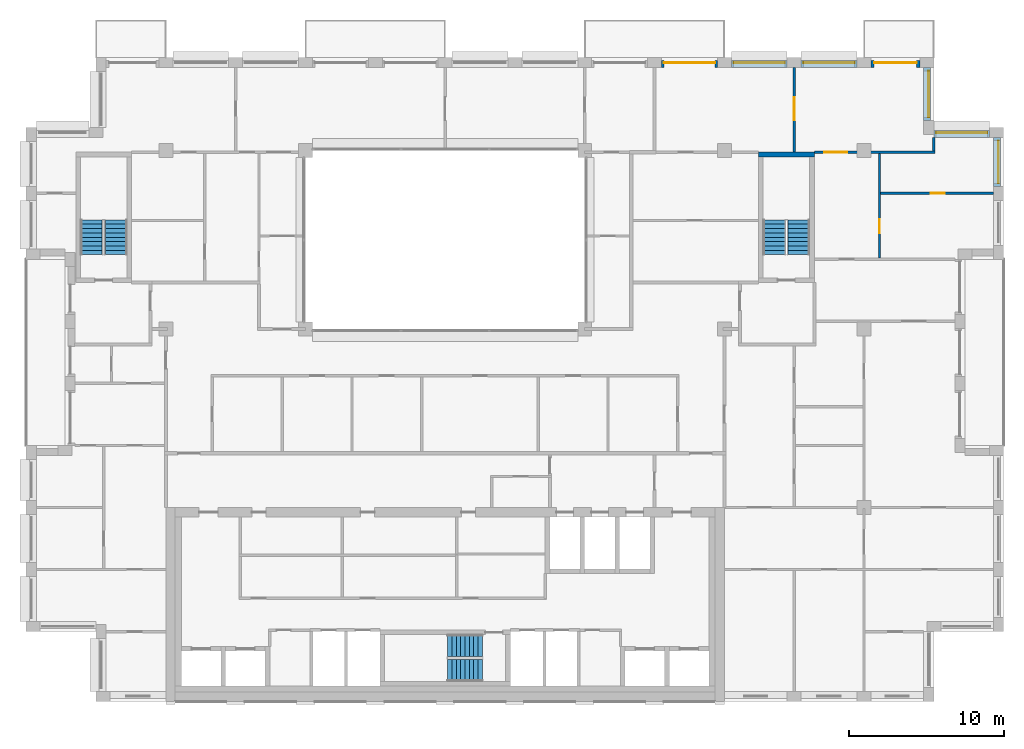
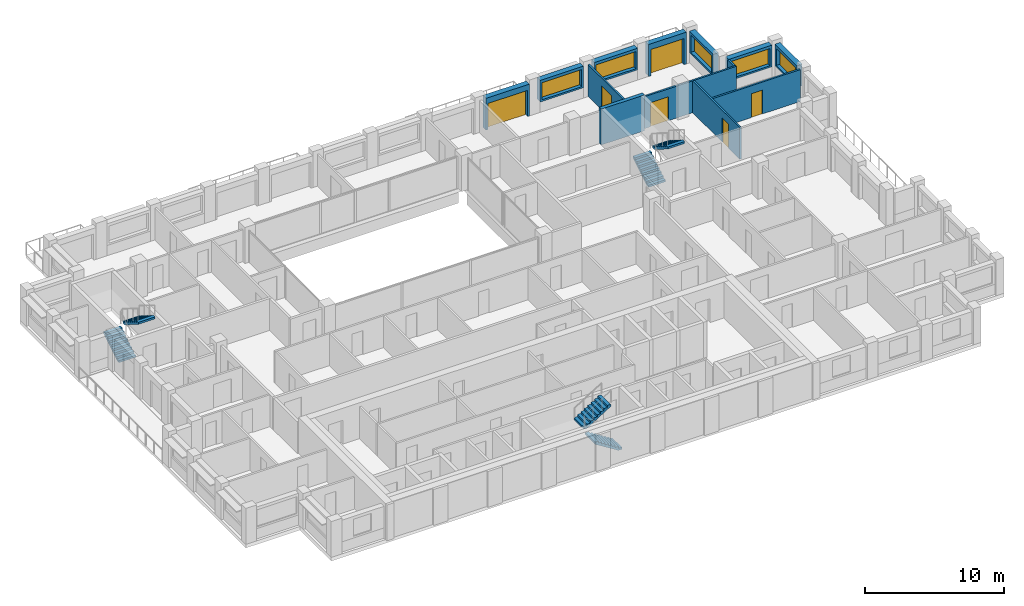
# One storey, part 14 of 15: 13 walls, 6 doors, 6 stair flights, 5 windows, 11 openings, 3 elements without a shape of their own.
"""IFC4 building model written with IfcOpenShell, lengths in metres."""

from ifc_helpers import new_model, si_unit, direction, frame, frame_2d, origin, place, context, subcontext, project, spatial, polyline, rectangle, outline, extrude, material, layer, layer_set, type_object, element, fill, aggregate, save


model = new_model("IFC4")

# Units and contexts
model_context = context("Model", 3, precision=1e-05, world=origin(), true_north=direction((0.0, 1.0)))
body_context = subcontext(model_context, "Body", "Model", "MODEL_VIEW")
ifc_project = project(units=[si_unit("LENGTHUNIT", "METRE"), si_unit("AREAUNIT", "SQUARE_METRE"), si_unit("VOLUMEUNIT", "CUBIC_METRE"), si_unit("PLANEANGLEUNIT", "RADIAN"), si_unit("MASSUNIT", "GRAM", prefix="KILO")], contexts=[model_context])

# Site, building, storey
site_placement = place(None, origin())
site = spatial("IfcSite", under=ifc_project, at=site_placement, CompositionType="ELEMENT")
building_placement = place(site_placement, origin())
building = spatial("IfcBuilding", under=site, at=building_placement, Name="Brigalow Station Residences", CompositionType="ELEMENT")
storey_placement = place(building_placement, frame((0.0, 0.0, 232.64990234375)))
storey = spatial("IfcBuildingStorey", under=building, at=storey_placement, Name="L67", CompositionType="ELEMENT", Elevation=232.64990234375)

# Wall, opening, window
ifc_material_1 = material(Name="Clay brick masonry", Category="masonry")
ifc_layer_1 = layer(ifc_material_1, 0.449951171875)
ifc_layer_set_1 = layer_set([ifc_layer_1], Name="BRICK INFILL WALL 450")
wall_type_1 = type_object("IfcWallType", Name="BRICK INFILL WALL 450", PredefinedType="SOLIDWALL", material=ifc_layer_set_1)
wall_1_placement = place(storey_placement, frame((71.574951171875, 33.199951171875, 0.900146484375), z_axis=(0.0, 0.0, 1.0), x_axis=(0.0, 1.0, 0.0)))
wall_1 = element("IfcWall", 1, at=wall_1_placement, inside=storey, type_object=wall_type_1, Name="L67/ewall/W-L67-17", PredefinedType="SOLIDWALL", context=body_context, shape_type="SweptSolid", body=[
    extrude(rectangle(XDim=3.150146484375, YDim=0.449951171875, at=frame_2d((1.5751953125, 0.0))), origin(), (0.0, 0.0, 1.0), 1.89990234375),
])
opening_1_placement = place(wall_1_placement, frame((0.199951171875, 0.0, 0.14990234375)))
opening_1 = element("IfcOpeningElement", 2, at=opening_1_placement, cuts=wall_1, Name="Opening WT-3", PredefinedType="OPENING", context=body_context, shape_type="SweptSolid", body=[
    extrude(rectangle(XDim=2.75, YDim=1.5, at=frame_2d((1.375, 0.75))), frame((0.0, 0.23486328125, 0.0), z_axis=(0.0, -1.0, 0.0), x_axis=(1.0, 0.0, 0.0)), (0.0, 0.0, 1.0), 0.469970703125),
])
ifc_material_2 = material(Name="Anodised aluminium frame with double glazing", Category="aluminium")
window_type_1 = type_object("IfcWindowType", Name="WINDOW 2750x1500", PartitioningType="SINGLE_PANEL", PredefinedType="WINDOW", material=ifc_material_2)
window_1_placement = place(opening_1_placement, origin())
window_1 = element("IfcWindow", 3, at=window_1_placement, inside=storey, type_object=window_type_1, Name="L67/window/W-L67-17", OverallHeight=1.5, OverallWidth=2.75, PartitioningType="SINGLE_PANEL", PredefinedType="WINDOW", context=body_context, shape_type="SweptSolid", body=[
    extrude(rectangle(XDim=2.75, YDim=1.5, at=frame_2d((1.375, 0.75))), frame((0.0, -0.06494140625, 0.0), z_axis=(0.0, -1.0, 0.0), x_axis=(1.0, 0.0, 0.0)), (0.0, 0.0, 1.0), 0.06005859375),
])
fill(opening_1, window_1)

wall_2_placement = place(storey_placement, frame((71.10009765625, 36.574951171875, 0.900146484375), z_axis=(0.0, 0.0, 1.0), x_axis=(-1.0, 0.0, 0.0)))
wall_2 = element("IfcWall", 4, at=wall_2_placement, inside=storey, type_object=wall_type_1, Name="L67/ewall/W-L67-18", PredefinedType="SOLIDWALL", context=body_context, shape_type="SweptSolid", body=[
    extrude(rectangle(XDim=3.60009765625, YDim=0.449951171875, at=frame_2d((1.800048828125, 0.0))), origin(), (0.0, 0.0, 1.0), 1.89990234375),
])
opening_2_placement = place(wall_2_placement, frame((0.14990234375, 0.0, 0.14990234375)))
opening_2 = element("IfcOpeningElement", 5, at=opening_2_placement, cuts=wall_2, Name="Opening WT-10", PredefinedType="OPENING", context=body_context, shape_type="SweptSolid", body=[
    extrude(rectangle(XDim=3.300048828125, YDim=1.5, at=frame_2d((1.64990234375, 0.75))), frame((0.0, 0.23486328125, 0.0), z_axis=(0.0, -1.0, 0.0), x_axis=(1.0, 0.0, 0.0)), (0.0, 0.0, 1.0), 0.469970703125),
])
ifc_material_3 = material(Name="Anodised aluminium frame with double glazing", Category="aluminium")
window_type_2 = type_object("IfcWindowType", Name="WINDOW 3300x1500", PartitioningType="SINGLE_PANEL", PredefinedType="WINDOW", material=ifc_material_3)
window_2_placement = place(opening_2_placement, origin())
window_2 = element("IfcWindow", 6, at=window_2_placement, inside=storey, type_object=window_type_2, Name="L67/window/W-L67-18", OverallHeight=1.5, OverallWidth=3.300048828125, PartitioningType="SINGLE_PANEL", PredefinedType="WINDOW", context=body_context, shape_type="SweptSolid", body=[
    extrude(rectangle(XDim=3.300048828125, YDim=1.5, at=frame_2d((1.64990234375, 0.75))), frame((0.0, -0.06494140625, 0.0), z_axis=(0.0, -1.0, 0.0), x_axis=(1.0, 0.0, 0.0)), (0.0, 0.0, 1.0), 0.06005859375),
])
fill(opening_2, window_2)

wall_3_placement = place(storey_placement, frame((67.074951171875, 37.449951171875, 0.900146484375), z_axis=(0.0, 0.0, 1.0), x_axis=(0.0, 1.0, 0.0)))
wall_3 = element("IfcWall", 7, at=wall_3_placement, inside=storey, type_object=wall_type_1, Name="L67/ewall/W-L67-19", PredefinedType="SOLIDWALL", context=body_context, shape_type="SweptSolid", body=[
    extrude(rectangle(XDim=3.400146484375, YDim=0.449951171875, at=frame_2d((1.7001953125, 0.0))), origin(), (0.0, 0.0, 1.0), 1.89990234375),
])
opening_3_placement = place(wall_3_placement, frame((0.199951171875, 0.0, 0.14990234375)))
opening_3 = element("IfcOpeningElement", 8, at=opening_3_placement, cuts=wall_3, Name="Opening WT-2", PredefinedType="OPENING", context=body_context, shape_type="SweptSolid", body=[
    extrude(rectangle(XDim=3.0, YDim=1.5, at=frame_2d((1.5, 0.75))), frame((0.0, 0.23486328125, 0.0), z_axis=(0.0, -1.0, 0.0), x_axis=(1.0, 0.0, 0.0)), (0.0, 0.0, 1.0), 0.469970703125),
])
ifc_material_4 = material(Name="Anodised aluminium frame with double glazing", Category="aluminium")
window_type_3 = type_object("IfcWindowType", Name="WINDOW 3000x1500", PartitioningType="SINGLE_PANEL", PredefinedType="WINDOW", material=ifc_material_4)
window_3_placement = place(opening_3_placement, origin())
window_3 = element("IfcWindow", 9, at=window_3_placement, inside=storey, type_object=window_type_3, Name="L67/window/W-L67-19", OverallHeight=1.5, OverallWidth=3.0, PartitioningType="SINGLE_PANEL", PredefinedType="WINDOW", context=body_context, shape_type="SweptSolid", body=[
    extrude(rectangle(XDim=3.0, YDim=1.5, at=frame_2d((1.5, 0.75))), frame((0.0, -0.06494140625, 0.0), z_axis=(0.0, -1.0, 0.0), x_axis=(1.0, 0.0, 0.0)), (0.0, 0.0, 1.0), 0.06005859375),
])
fill(opening_3, window_3)

# Wall, opening, door
wall_4_placement = place(storey_placement, frame((66.60009765625, 41.074951171875, 0.0), z_axis=(0.0, 0.0, 1.0), x_axis=(-1.0, 0.0, 0.0)))
wall_4 = element("IfcWall", 10, at=wall_4_placement, inside=storey, type_object=wall_type_1, Name="L67/ewall/W-L67-20", PredefinedType="SOLIDWALL", context=body_context, shape_type="SweptSolid", body=[
    extrude(rectangle(XDim=3.150146484375, YDim=0.449951171875, at=frame_2d((1.5751953125, 0.0))), origin(), (0.0, 0.0, 1.0), 2.800048828125),
])
opening_4_placement = place(wall_4_placement, frame((0.199951171875, 0.0, 0.0)))
opening_4 = element("IfcOpeningElement", 11, at=opening_4_placement, cuts=wall_4, Name="Opening D-B2750", PredefinedType="OPENING", context=body_context, shape_type="SweptSolid", body=[
    extrude(rectangle(XDim=2.75, YDim=2.300048828125, at=frame_2d((1.375, 1.14990234375))), frame((0.0, 0.23486328125, 0.0), z_axis=(0.0, -1.0, 0.0), x_axis=(1.0, 0.0, 0.0)), (0.0, 0.0, 1.0), 0.469970703125),
])
ifc_material_5 = material(Name="Anodised aluminium frame with double glazing", Category="aluminium")
door_type_1 = type_object("IfcDoorType", Name="BALCONY SLIDING DOOR 2750x2300", OperationType="SLIDING_TO_LEFT", PredefinedType="DOOR", material=ifc_material_5)
door_1_placement = place(opening_4_placement, origin())
door_1 = element("IfcDoor", 12, at=door_1_placement, inside=storey, type_object=door_type_1, Name="L67/balcony-door/W-L67-20", OperationType="SLIDING_TO_LEFT", OverallHeight=2.300048828125, OverallWidth=2.75, PredefinedType="DOOR", context=body_context, shape_type="SweptSolid", body=[
    extrude(rectangle(XDim=2.75, YDim=2.300048828125, at=frame_2d((1.375, 1.14990234375))), frame((0.0, -0.06982421875, 0.0), z_axis=(0.0, -1.0, 0.0), x_axis=(1.0, 0.0, 0.0)), (0.0, 0.0, 1.0), 0.050048828125),
])
fill(opening_4, door_1)

# Wall, opening, window
wall_5_placement = place(storey_placement, frame((62.550048828125, 41.074951171875, 0.900146484375), z_axis=(0.0, 0.0, 1.0), x_axis=(-1.0, 0.0, 0.0)))
wall_5 = element("IfcWall", 13, at=wall_5_placement, inside=storey, type_object=wall_type_1, Name="L67/ewall/W-L67-21", PredefinedType="SOLIDWALL", context=body_context, shape_type="SweptSolid", body=[
    extrude(rectangle(XDim=3.60009765625, YDim=0.449951171875, at=frame_2d((1.800048828125, 0.0))), origin(), (0.0, 0.0, 1.0), 1.89990234375),
])
opening_5_placement = place(wall_5_placement, frame((0.14990234375, 0.0, 0.14990234375)))
opening_5 = element("IfcOpeningElement", 14, at=opening_5_placement, cuts=wall_5, Name="Opening WT-10", PredefinedType="OPENING", context=body_context, shape_type="SweptSolid", body=[
    extrude(rectangle(XDim=3.300048828125, YDim=1.5, at=frame_2d((1.64990234375, 0.75))), frame((0.0, 0.23486328125, 0.0), z_axis=(0.0, -1.0, 0.0), x_axis=(1.0, 0.0, 0.0)), (0.0, 0.0, 1.0), 0.469970703125),
])
window_4_placement = place(opening_5_placement, origin())
window_4 = element("IfcWindow", 15, at=window_4_placement, inside=storey, type_object=window_type_2, Name="L67/window/W-L67-21", OverallHeight=1.5, OverallWidth=3.300048828125, PartitioningType="SINGLE_PANEL", PredefinedType="WINDOW", context=body_context, shape_type="SweptSolid", body=[
    extrude(rectangle(XDim=3.300048828125, YDim=1.5, at=frame_2d((1.64990234375, 0.75))), frame((0.0, -0.06494140625, 0.0), z_axis=(0.0, -1.0, 0.0), x_axis=(1.0, 0.0, 0.0)), (0.0, 0.0, 1.0), 0.06005859375),
])
fill(opening_5, window_4)

wall_6_placement = place(storey_placement, frame((58.050048828125, 41.074951171875, 0.900146484375), z_axis=(0.0, 0.0, 1.0), x_axis=(-1.0, 0.0, 0.0)))
wall_6 = element("IfcWall", 16, at=wall_6_placement, inside=storey, type_object=wall_type_1, Name="L67/ewall/W-L67-22", PredefinedType="SOLIDWALL", context=body_context, shape_type="SweptSolid", body=[
    extrude(rectangle(XDim=3.60009765625, YDim=0.449951171875, at=frame_2d((1.800048828125, 0.0))), origin(), (0.0, 0.0, 1.0), 1.89990234375),
])
opening_6_placement = place(wall_6_placement, frame((0.14990234375, 0.0, 0.14990234375)))
opening_6 = element("IfcOpeningElement", 17, at=opening_6_placement, cuts=wall_6, Name="Opening WT-10", PredefinedType="OPENING", context=body_context, shape_type="SweptSolid", body=[
    extrude(rectangle(XDim=3.300048828125, YDim=1.5, at=frame_2d((1.64990234375, 0.75))), frame((0.0, 0.23486328125, 0.0), z_axis=(0.0, -1.0, 0.0), x_axis=(1.0, 0.0, 0.0)), (0.0, 0.0, 1.0), 0.469970703125),
])
window_5_placement = place(opening_6_placement, origin())
window_5 = element("IfcWindow", 18, at=window_5_placement, inside=storey, type_object=window_type_2, Name="L67/window/W-L67-22", OverallHeight=1.5, OverallWidth=3.300048828125, PartitioningType="SINGLE_PANEL", PredefinedType="WINDOW", context=body_context, shape_type="SweptSolid", body=[
    extrude(rectangle(XDim=3.300048828125, YDim=1.5, at=frame_2d((1.64990234375, 0.75))), frame((0.0, -0.06494140625, 0.0), z_axis=(0.0, -1.0, 0.0), x_axis=(1.0, 0.0, 0.0)), (0.0, 0.0, 1.0), 0.06005859375),
])
fill(opening_6, window_5)

# Wall, opening, door
wall_7_placement = place(storey_placement, frame((53.550048828125, 41.074951171875, 0.0), z_axis=(0.0, 0.0, 1.0), x_axis=(-1.0, 0.0, 0.0)))
wall_7 = element("IfcWall", 19, at=wall_7_placement, inside=storey, type_object=wall_type_1, Name="L67/ewall/W-L67-23", PredefinedType="SOLIDWALL", context=body_context, shape_type="SweptSolid", body=[
    extrude(rectangle(XDim=3.60009765625, YDim=0.449951171875, at=frame_2d((1.800048828125, 0.0))), origin(), (0.0, 0.0, 1.0), 2.800048828125),
])
opening_7_placement = place(wall_7_placement, frame((0.14990234375, 0.0, 0.0)))
opening_7 = element("IfcOpeningElement", 20, at=opening_7_placement, cuts=wall_7, Name="Opening D-B3300", PredefinedType="OPENING", context=body_context, shape_type="SweptSolid", body=[
    extrude(rectangle(XDim=3.300048828125, YDim=2.300048828125, at=frame_2d((1.64990234375, 1.14990234375))), frame((0.0, 0.23486328125, 0.0), z_axis=(0.0, -1.0, 0.0), x_axis=(1.0, 0.0, 0.0)), (0.0, 0.0, 1.0), 0.469970703125),
])
ifc_material_6 = material(Name="Anodised aluminium frame with double glazing", Category="aluminium")
door_type_2 = type_object("IfcDoorType", Name="BALCONY SLIDING DOOR 3300x2300", OperationType="SLIDING_TO_LEFT", PredefinedType="DOOR", material=ifc_material_6)
door_2_placement = place(opening_7_placement, origin())
door_2 = element("IfcDoor", 21, at=door_2_placement, inside=storey, type_object=door_type_2, Name="L67/balcony-door/W-L67-23", OperationType="SLIDING_TO_LEFT", OverallHeight=2.300048828125, OverallWidth=3.300048828125, PredefinedType="DOOR", context=body_context, shape_type="SweptSolid", body=[
    extrude(rectangle(XDim=3.300048828125, YDim=2.300048828125, at=frame_2d((1.64990234375, 1.14990234375))), frame((0.0, -0.06982421875, 0.0), z_axis=(0.0, -1.0, 0.0), x_axis=(1.0, 0.0, 0.0)), (0.0, 0.0, 1.0), 0.050048828125),
])
fill(opening_7, door_2)

# Wall
ifc_material_7 = material(Name="Concrete C50", Category="concrete")
ifc_layer_2 = layer(ifc_material_7, 0.300048828125)
ifc_layer_set_2 = layer_set([ifc_layer_2], Name="CORE SHEAR WALL 300 C50")
wall_type_2 = type_object("IfcWallType", Name="CORE SHEAR WALL 300 C50", PredefinedType="SHEAR", material=ifc_layer_set_2)
wall_8_placement = place(storey_placement, frame((56.199951171875, 35.25, 0.0), z_axis=(0.0, 0.0, 1.0), x_axis=(1.0, 0.0, 0.0)))
element("IfcWall", 22, at=wall_8_placement, inside=storey, type_object=wall_type_2, Name="CORE WALL ST-S3-N L67", PredefinedType="SHEAR", context=body_context, shape_type="SweptSolid", body=[
    extrude(rectangle(XDim=3.60009765625, YDim=0.300048828125, at=frame_2d((1.800048828125, 0.0))), origin(), (0.0, 0.0, 1.0), 3.150146484375),
])

# Wall, opening, door
ifc_material_8 = material(Name="Plasterboard on steel stud partition", Category="steel")
ifc_layer_3 = layer(ifc_material_8, 0.14990234375)
ifc_layer_set_3 = layer_set([ifc_layer_3], Name="FLAT PARTITION 150")
wall_type_3 = type_object("IfcWallType", Name="FLAT PARTITION 150", PredefinedType="PARTITIONING", material=ifc_layer_set_3)
wall_9_placement = place(storey_placement, frame((59.800048828125, 35.39990234375, 0.0), z_axis=(0.0, 0.0, 1.0), x_axis=(1.0, 0.0, 0.0)))
wall_9 = element("IfcWall", 23, at=wall_9_placement, inside=storey, type_object=wall_type_3, Name="PW-4E22", PredefinedType="PARTITIONING", context=body_context, shape_type="SweptSolid", body=[
    extrude(rectangle(XDim=7.77490234375, YDim=0.14990234375, at=frame_2d((3.887451171875, 0.0))), origin(), (0.0, 0.0, 1.0), 2.800048828125),
])
opening_8_placement = place(wall_9_placement, frame((0.625, 0.0, 0.0)))
opening_8 = element("IfcOpeningElement", 24, at=opening_8_placement, cuts=wall_9, Name="Opening D-4E39", PredefinedType="OPENING", context=body_context, shape_type="SweptSolid", body=[
    extrude(rectangle(XDim=1.5, YDim=2.10009765625, at=frame_2d((0.75, 1.050048828125))), frame((0.0, 0.0849609375, 0.0), z_axis=(0.0, -1.0, 0.0), x_axis=(1.0, 0.0, 0.0)), (0.0, 0.0, 1.0), 0.169921875),
])
ifc_material_9 = material(Name="Solid-core timber door leaf", Category="wood")
door_type_3 = type_object("IfcDoorType", Name="INTERNAL DOUBLE DOOR 1500 x 2100", OperationType="DOUBLE_DOOR_SINGLE_SWING", PredefinedType="DOOR", material=ifc_material_9)
door_3_placement = place(opening_8_placement, origin())
door_3 = element("IfcDoor", 25, at=door_3_placement, inside=storey, type_object=door_type_3, Name="D-4E39", OperationType="DOUBLE_DOOR_SINGLE_SWING", OverallHeight=2.10009765625, OverallWidth=1.5, PredefinedType="DOOR", context=body_context, shape_type="SweptSolid", body=[
    extrude(rectangle(XDim=1.5, YDim=2.10009765625, at=frame_2d((0.75, 1.050048828125))), frame((0.0, 0.02490234375, 0.0), z_axis=(0.0, -1.0, 0.0), x_axis=(1.0, 0.0, 0.0)), (0.0, 0.0, 1.0), 0.050048828125),
])
fill(opening_8, door_3)

wall_10_placement = place(storey_placement, frame((64.074951171875, 32.75, 0.0), z_axis=(0.0, 0.0, 1.0), x_axis=(1.0, 0.0, 0.0)))
wall_10 = element("IfcWall", 26, at=wall_10_placement, inside=storey, type_object=wall_type_3, Name="PW-4E27", PredefinedType="PARTITIONING", context=body_context, shape_type="SweptSolid", body=[
    extrude(rectangle(XDim=7.275146484375, YDim=0.14990234375, at=frame_2d((3.6376953125, 0.0))), origin(), (0.0, 0.0, 1.0), 2.800048828125),
])
opening_9_placement = place(wall_10_placement, frame((3.22509765625, 0.0, 0.0)))
opening_9 = element("IfcOpeningElement", 27, at=opening_9_placement, cuts=wall_10, Name="Opening D-4E40", PredefinedType="OPENING", context=body_context, shape_type="SweptSolid", body=[
    extrude(rectangle(XDim=0.89990234375, YDim=2.10009765625, at=frame_2d((0.449951171875, 1.050048828125))), frame((0.0, 0.0849609375, 0.0), z_axis=(0.0, -1.0, 0.0), x_axis=(1.0, 0.0, 0.0)), (0.0, 0.0, 1.0), 0.169921875),
])
ifc_material_10 = material(Name="Solid-core timber door leaf", Category="wood")
door_type_4 = type_object("IfcDoorType", Name="INTERNAL DOOR 900 x 2100", OperationType="SINGLE_SWING_LEFT", PredefinedType="DOOR", material=ifc_material_10)
door_4_placement = place(opening_9_placement, origin())
door_4 = element("IfcDoor", 28, at=door_4_placement, inside=storey, type_object=door_type_4, Name="D-4E40", OperationType="SINGLE_SWING_RIGHT", OverallHeight=2.10009765625, OverallWidth=0.89990234375, PredefinedType="DOOR", context=body_context, shape_type="SweptSolid", body=[
    extrude(rectangle(XDim=0.89990234375, YDim=2.10009765625, at=frame_2d((0.449951171875, 1.050048828125))), frame((0.0, 0.02490234375, 0.0), z_axis=(0.0, -1.0, 0.0), x_axis=(1.0, 0.0, 0.0)), (0.0, 0.0, 1.0), 0.050048828125),
])
fill(opening_9, door_4)

wall_11_placement = place(storey_placement, frame((58.5, 35.39990234375, 0.0), z_axis=(0.0, 0.0, 1.0), x_axis=(0.0, 1.0, 0.0)))
wall_11 = element("IfcWall", 29, at=wall_11_placement, inside=storey, type_object=wall_type_3, Name="PW-4E48", PredefinedType="PARTITIONING", context=body_context, shape_type="SweptSolid", body=[
    extrude(rectangle(XDim=5.4501953125, YDim=0.14990234375, at=frame_2d((2.72509765625, 0.0))), origin(), (0.0, 0.0, 1.0), 2.800048828125),
])
opening_10_placement = place(wall_11_placement, frame((2.050048828125, 0.0, 0.0)))
opening_10 = element("IfcOpeningElement", 30, at=opening_10_placement, cuts=wall_11, Name="Opening D-4E41", PredefinedType="OPENING", context=body_context, shape_type="SweptSolid", body=[
    extrude(rectangle(XDim=1.5, YDim=2.10009765625, at=frame_2d((0.75, 1.050048828125))), frame((0.0, 0.0849609375, 0.0), z_axis=(0.0, -1.0, 0.0), x_axis=(1.0, 0.0, 0.0)), (0.0, 0.0, 1.0), 0.169921875),
])
door_5_placement = place(opening_10_placement, frame((1.5, 0.0, 0.0), z_axis=(0.0, 0.0, 1.0), x_axis=(-1.0, 0.0, 0.0)))
door_5 = element("IfcDoor", 31, at=door_5_placement, inside=storey, type_object=door_type_3, Name="D-4E41", OperationType="DOUBLE_DOOR_SINGLE_SWING", OverallHeight=2.10009765625, OverallWidth=1.5, PredefinedType="DOOR", context=body_context, shape_type="SweptSolid", body=[
    extrude(rectangle(XDim=1.5, YDim=2.10009765625, at=frame_2d((0.75, 1.050048828125))), frame((0.0, 0.02490234375, 0.0), z_axis=(0.0, -1.0, 0.0), x_axis=(1.0, 0.0, 0.0)), (0.0, 0.0, 1.0), 0.050048828125),
])
fill(opening_10, door_5)

wall_12_placement = place(storey_placement, frame((64.0, 28.574951171875, 0.0), z_axis=(0.0, 0.0, 1.0), x_axis=(0.0, 1.0, 0.0)))
wall_12 = element("IfcWall", 32, at=wall_12_placement, inside=storey, type_object=wall_type_3, Name="PW-4E52", PredefinedType="PARTITIONING", context=body_context, shape_type="SweptSolid", body=[
    extrude(rectangle(XDim=6.75, YDim=0.14990234375, at=frame_2d((3.375, 0.0))), origin(), (0.0, 0.0, 1.0), 2.800048828125),
])
opening_11_placement = place(wall_12_placement, frame((1.60009765625, 0.0, 0.0)))
opening_11 = element("IfcOpeningElement", 33, at=opening_11_placement, cuts=wall_12, Name="Opening D-4E38", PredefinedType="OPENING", context=body_context, shape_type="SweptSolid", body=[
    extrude(rectangle(XDim=0.89990234375, YDim=2.10009765625, at=frame_2d((0.449951171875, 1.050048828125))), frame((0.0, 0.0849609375, 0.0), z_axis=(0.0, -1.0, 0.0), x_axis=(1.0, 0.0, 0.0)), (0.0, 0.0, 1.0), 0.169921875),
])
door_6_placement = place(opening_11_placement, frame((0.89990234375, 0.0, 0.0), z_axis=(0.0, 0.0, 1.0), x_axis=(-1.0, 0.0, 0.0)))
door_6 = element("IfcDoor", 34, at=door_6_placement, inside=storey, type_object=door_type_4, Name="D-4E38", OperationType="SINGLE_SWING_LEFT", OverallHeight=2.10009765625, OverallWidth=0.89990234375, PredefinedType="DOOR", context=body_context, shape_type="SweptSolid", body=[
    extrude(rectangle(XDim=0.89990234375, YDim=2.10009765625, at=frame_2d((0.449951171875, 1.050048828125))), frame((0.0, 0.02490234375, 0.0), z_axis=(0.0, -1.0, 0.0), x_axis=(1.0, 0.0, 0.0)), (0.0, 0.0, 1.0), 0.050048828125),
])
fill(opening_11, door_6)

# Wall
wall_13_placement = place(storey_placement, frame((67.5, 35.47509765625, 0.0), z_axis=(0.0, 0.0, 1.0), x_axis=(0.0, 1.0, 0.0)))
element("IfcWall", 35, at=wall_13_placement, inside=storey, type_object=wall_type_3, Name="PW-4E53", PredefinedType="PARTITIONING", context=body_context, shape_type="SweptSolid", body=[
    extrude(rectangle(XDim=0.875, YDim=0.14990234375, at=frame_2d((0.4375, 0.0))), origin(), (0.0, 0.0, 1.0), 2.800048828125),
])

# Stair, stair flights
ifc_material_11 = material(Name="Concrete C50", Category="concrete")
stair_type = type_object("IfcStairType", Name="EXIT STAIR 1400 2 FLIGHT", PredefinedType="HALF_TURN_STAIR", material=ifc_material_11)
stair_1_placement = place(storey_placement, origin())
stair_1 = element("IfcStair", 36, at=stair_1_placement, inside=storey, type_object=stair_type, Name="EXIT STAIR S2 L67", PredefinedType="HALF_TURN_STAIR")
ifc_material_12 = material(Name="Concrete C50", Category="concrete")
stair_flight_type = type_object("IfcStairFlightType", Name="STAIR FLIGHT 1400", PredefinedType="STRAIGHT", material=ifc_material_12)
stair_flight_1_placement = place(storey_placement, frame((38.39990234375, 2.0, 0.0), z_axis=(0.0, 0.0, 1.0), x_axis=(-1.0, 0.0, 0.0)))
stair_flight_1 = element("IfcStairFlight", 37, at=stair_flight_1_placement, type_object=stair_flight_type, Name="ST-2 flight 1", NumberOfRisers=9, NumberOfTreads=8, PredefinedType="STRAIGHT", RiserHeight=0.175, TreadLength=0.28, context=body_context, shape_type="SweptSolid", body=[
    extrude(outline(polyline([(0.0, 0.0), (0.0, 0.175048828125), (0.280029296875, 0.175048828125), (0.280029296875, 0.35009765625), (0.56005859375, 0.35009765625), (0.56005859375, 0.52490234375), (0.840087890625, 0.52490234375), (0.840087890625, 0.699951171875), (1.1201171875, 0.699951171875), (1.1201171875, 0.875), (1.39990234375, 0.875), (1.39990234375, 1.050048828125), (1.679931640625, 1.050048828125), (1.679931640625, 1.22509765625), (1.9599609375, 1.22509765625), (1.9599609375, 1.39990234375), (2.239990234375, 1.39990234375), (2.239990234375, 1.574951171875), (2.239990234375, 1.22314453125), (0.28271484375, 0.0), (0.0, 0.0)])), frame((0.0, 0.699951171875, 0.0), z_axis=(0.0, -1.0, 0.0), x_axis=(1.0, 0.0, 0.0)), (0.0, 0.0, 1.0), 1.39990234375),
])
stair_flight_2_placement = place(storey_placement, frame((36.159912109375, 3.60009765625, 1.5751953125), z_axis=(0.0, 0.0, 1.0), x_axis=(1.0, 0.0, 0.0)))
stair_flight_2 = element("IfcStairFlight", 38, at=stair_flight_2_placement, type_object=stair_flight_type, Name="ST-2 flight 2", NumberOfRisers=9, NumberOfTreads=8, PredefinedType="STRAIGHT", RiserHeight=0.175, TreadLength=0.28, context=body_context, shape_type="SweptSolid", body=[
    extrude(outline(polyline([(0.0, 0.0), (0.0, 0.175048828125), (0.280029296875, 0.175048828125), (0.280029296875, 0.35009765625), (0.56005859375, 0.35009765625), (0.56005859375, 0.52490234375), (0.840087890625, 0.52490234375), (0.840087890625, 0.699951171875), (1.1201171875, 0.699951171875), (1.1201171875, 0.875), (1.39990234375, 0.875), (1.39990234375, 1.050048828125), (1.679931640625, 1.050048828125), (1.679931640625, 1.22509765625), (1.9599609375, 1.22509765625), (1.9599609375, 1.39990234375), (2.239990234375, 1.39990234375), (2.239990234375, 1.574951171875), (2.239990234375, 1.22314453125), (0.28271484375, 0.0), (0.0, 0.0)])), frame((0.0, 0.699951171875, 0.0), z_axis=(0.0, -1.0, 0.0), x_axis=(1.0, 0.0, 0.0)), (0.0, 0.0, 1.0), 1.39990234375),
])
aggregate(stair_1, [stair_flight_1, stair_flight_2])

stair_2_placement = place(storey_placement, origin())
stair_2 = element("IfcStair", 39, at=stair_2_placement, inside=storey, type_object=stair_type, Name="EXIT STAIR S1 L67", PredefinedType="HALF_TURN_STAIR")
stair_flight_3_placement = place(storey_placement, frame((13.199951171875, 28.800048828125, 0.0), z_axis=(0.0, 0.0, 1.0), x_axis=(0.0, 1.0, 0.0)))
stair_flight_3 = element("IfcStairFlight", 40, at=stair_flight_3_placement, type_object=stair_flight_type, Name="ST-1 flight 1", NumberOfRisers=9, NumberOfTreads=8, PredefinedType="STRAIGHT", RiserHeight=0.175, TreadLength=0.28, context=body_context, shape_type="SweptSolid", body=[
    extrude(outline(polyline([(0.0, 0.0), (0.0, 0.175048828125), (0.280029296875, 0.175048828125), (0.280029296875, 0.35009765625), (0.56005859375, 0.35009765625), (0.56005859375, 0.52490234375), (0.840087890625, 0.52490234375), (0.840087890625, 0.699951171875), (1.1201171875, 0.699951171875), (1.1201171875, 0.875), (1.39990234375, 0.875), (1.39990234375, 1.050048828125), (1.679931640625, 1.050048828125), (1.679931640625, 1.22509765625), (1.9599609375, 1.22509765625), (1.9599609375, 1.39990234375), (2.239990234375, 1.39990234375), (2.239990234375, 1.574951171875), (2.239990234375, 1.22314453125), (0.28271484375, 0.0), (0.0, 0.0)])), frame((0.0, 0.699951171875, 0.0), z_axis=(0.0, -1.0, 0.0), x_axis=(1.0, 0.0, 0.0)), (0.0, 0.0, 1.0), 1.39990234375),
])
stair_flight_4_placement = place(storey_placement, frame((14.800048828125, 31.0400390625, 1.5751953125), z_axis=(0.0, 0.0, 1.0), x_axis=(0.0, -1.0, 0.0)))
stair_flight_4 = element("IfcStairFlight", 41, at=stair_flight_4_placement, type_object=stair_flight_type, Name="ST-1 flight 2", NumberOfRisers=9, NumberOfTreads=8, PredefinedType="STRAIGHT", RiserHeight=0.175, TreadLength=0.28, context=body_context, shape_type="SweptSolid", body=[
    extrude(outline(polyline([(0.0, 0.0), (0.0, 0.175048828125), (0.280029296875, 0.175048828125), (0.280029296875, 0.35009765625), (0.56005859375, 0.35009765625), (0.56005859375, 0.52490234375), (0.840087890625, 0.52490234375), (0.840087890625, 0.699951171875), (1.1201171875, 0.699951171875), (1.1201171875, 0.875), (1.39990234375, 0.875), (1.39990234375, 1.050048828125), (1.679931640625, 1.050048828125), (1.679931640625, 1.22509765625), (1.9599609375, 1.22509765625), (1.9599609375, 1.39990234375), (2.239990234375, 1.39990234375), (2.239990234375, 1.574951171875), (2.239990234375, 1.22314453125), (0.28271484375, 0.0), (0.0, 0.0)])), frame((0.0, 0.699951171875, 0.0), z_axis=(0.0, -1.0, 0.0), x_axis=(1.0, 0.0, 0.0)), (0.0, 0.0, 1.0), 1.39990234375),
])
aggregate(stair_2, [stair_flight_3, stair_flight_4])

stair_3_placement = place(storey_placement, origin())
stair_3 = element("IfcStair", 42, at=stair_3_placement, inside=storey, type_object=stair_type, Name="EXIT STAIR S3 L67", PredefinedType="HALF_TURN_STAIR")
stair_flight_5_placement = place(storey_placement, frame((57.199951171875, 28.800048828125, 0.0), z_axis=(0.0, 0.0, 1.0), x_axis=(0.0, 1.0, 0.0)))
stair_flight_5 = element("IfcStairFlight", 43, at=stair_flight_5_placement, type_object=stair_flight_type, Name="ST-3 flight 1", NumberOfRisers=9, NumberOfTreads=8, PredefinedType="STRAIGHT", RiserHeight=0.175, TreadLength=0.28, context=body_context, shape_type="SweptSolid", body=[
    extrude(outline(polyline([(0.0, 0.0), (0.0, 0.175048828125), (0.280029296875, 0.175048828125), (0.280029296875, 0.35009765625), (0.56005859375, 0.35009765625), (0.56005859375, 0.52490234375), (0.840087890625, 0.52490234375), (0.840087890625, 0.699951171875), (1.1201171875, 0.699951171875), (1.1201171875, 0.875), (1.39990234375, 0.875), (1.39990234375, 1.050048828125), (1.679931640625, 1.050048828125), (1.679931640625, 1.22509765625), (1.9599609375, 1.22509765625), (1.9599609375, 1.39990234375), (2.239990234375, 1.39990234375), (2.239990234375, 1.574951171875), (2.239990234375, 1.22314453125), (0.28271484375, 0.0), (0.0, 0.0)])), frame((0.0, 0.699951171875, 0.0), z_axis=(0.0, -1.0, 0.0), x_axis=(1.0, 0.0, 0.0)), (0.0, 0.0, 1.0), 1.39990234375),
])
stair_flight_6_placement = place(storey_placement, frame((58.800048828125, 31.0400390625, 1.5751953125), z_axis=(0.0, 0.0, 1.0), x_axis=(0.0, -1.0, 0.0)))
stair_flight_6 = element("IfcStairFlight", 44, at=stair_flight_6_placement, type_object=stair_flight_type, Name="ST-3 flight 2", NumberOfRisers=9, NumberOfTreads=8, PredefinedType="STRAIGHT", RiserHeight=0.175, TreadLength=0.28, context=body_context, shape_type="SweptSolid", body=[
    extrude(outline(polyline([(0.0, 0.0), (0.0, 0.175048828125), (0.280029296875, 0.175048828125), (0.280029296875, 0.35009765625), (0.56005859375, 0.35009765625), (0.56005859375, 0.52490234375), (0.840087890625, 0.52490234375), (0.840087890625, 0.699951171875), (1.1201171875, 0.699951171875), (1.1201171875, 0.875), (1.39990234375, 0.875), (1.39990234375, 1.050048828125), (1.679931640625, 1.050048828125), (1.679931640625, 1.22509765625), (1.9599609375, 1.22509765625), (1.9599609375, 1.39990234375), (2.239990234375, 1.39990234375), (2.239990234375, 1.574951171875), (2.239990234375, 1.22314453125), (0.28271484375, 0.0), (0.0, 0.0)])), frame((0.0, 0.699951171875, 0.0), z_axis=(0.0, -1.0, 0.0), x_axis=(1.0, 0.0, 0.0)), (0.0, 0.0, 1.0), 1.39990234375),
])
aggregate(stair_3, [stair_flight_5, stair_flight_6])

save(model, "model.ifc")
